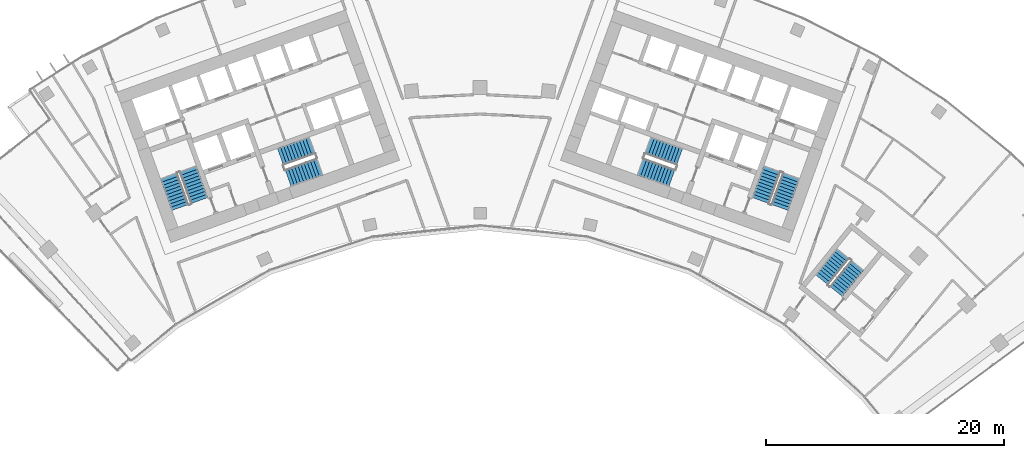
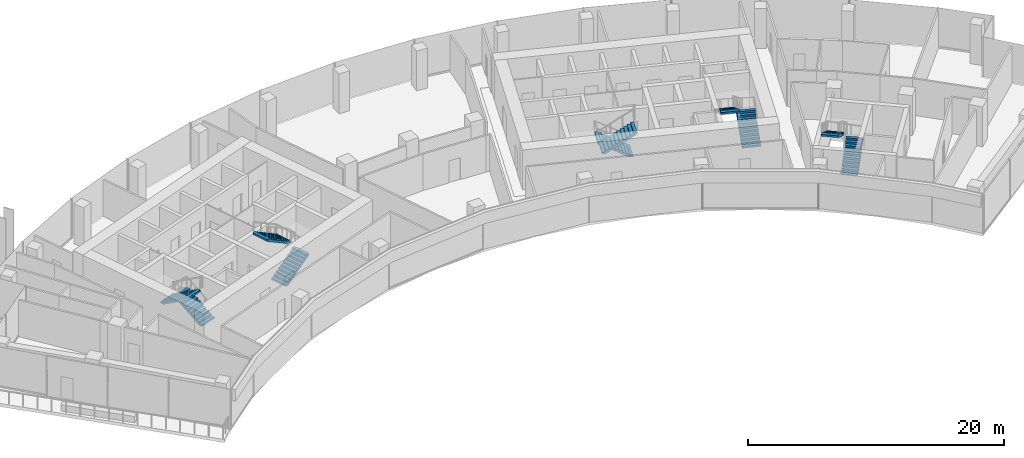
# One storey, part 17 of 19: 10 stair flights, 5 elements without a shape of their own.
"""IFC4 building model written with IfcOpenShell, lengths in metres."""

from ifc_helpers import new_model, si_unit, direction, frame, origin, place, context, subcontext, project, spatial, polyline, outline, extrude, material, type_object, element, aggregate, save


model = new_model("IFC4")

# Units and contexts
model_context = context("Model", 3, precision=1e-05, world=origin(), true_north=direction((0.0, 1.0)))
body_context = subcontext(model_context, "Body", "Model", "MODEL_VIEW")
ifc_project = project(units=[si_unit("LENGTHUNIT", "METRE"), si_unit("AREAUNIT", "SQUARE_METRE"), si_unit("VOLUMEUNIT", "CUBIC_METRE"), si_unit("PLANEANGLEUNIT", "RADIAN"), si_unit("MASSUNIT", "GRAM", prefix="KILO")], contexts=[model_context])

# Site, building, storey
site_placement = place(None, origin())
site = spatial("IfcSite", under=ifc_project, at=site_placement, CompositionType="ELEMENT")
building_placement = place(site_placement, origin())
building = spatial("IfcBuilding", under=site, at=building_placement, Name="Stone Belt Terrace Tower", CompositionType="ELEMENT")
storey_placement = place(building_placement, frame((0.0, 0.0, 227.60009765625)))
storey = spatial("IfcBuildingStorey", under=building, at=storey_placement, Name="L55", CompositionType="ELEMENT", Elevation=227.60009765625)

# Stair, stair flights
ifc_material = material(Name="Concrete B40", Category="concrete")
stair_type = type_object("IfcStairType", Name="Exit stair 1500", PredefinedType="HALF_TURN_STAIR", material=ifc_material)
stair_1_placement = place(storey_placement, origin())
stair_1 = element("IfcStair", 1, at=stair_1_placement, inside=storey, type_object=stair_type, Name="L55 Exit stair 1 core A", PredefinedType="HALF_TURN_STAIR")
stair_flight_type = type_object("IfcStairFlightType", Name="Stair flight 1500", PredefinedType="STRAIGHT", material=ifc_material)
stair_flight_1_placement = place(storey_placement, frame((-23.55322265625, 45.51318359375, 0.0), z_axis=(0.0, 0.0, 1.0), x_axis=(-0.338624396177, 0.940921632398, 0.0)))
stair_flight_1 = element("IfcStairFlight", 2, at=stair_flight_1_placement, type_object=stair_flight_type, Name="ST1A flight 1", NumberOfRisers=11, NumberOfTreads=10, PredefinedType="STRAIGHT", RiserHeight=0.172727273, TreadLength=0.28, context=body_context, shape_type="SweptSolid", body=[
    extrude(outline(polyline([(0.0, 0.0), (0.0, 0.172607421875), (0.280029296875, 0.172607421875), (0.280029296875, 0.345458984375), (0.56005859375, 0.345458984375), (0.56005859375, 0.51806640625), (0.840087890625, 0.51806640625), (0.840087890625, 0.69091796875), (1.1201171875, 0.69091796875), (1.1201171875, 0.863525390625), (1.39990234375, 0.863525390625), (1.39990234375, 1.036376953125), (1.679931640625, 1.036376953125), (1.679931640625, 1.208984375), (1.9599609375, 1.208984375), (1.9599609375, 1.3818359375), (2.239990234375, 1.3818359375), (2.239990234375, 1.554443359375), (2.52001953125, 1.554443359375), (2.52001953125, 1.727294921875), (2.800048828125, 1.727294921875), (2.800048828125, 1.89990234375), (2.800048828125, 1.551025390625), (0.285400390625, 0.0), (0.0, 0.0)])), frame((0.0, 0.75, 0.0), z_axis=(0.0, -1.0, 0.0), x_axis=(1.0, 0.0, 0.0)), (0.0, 0.0, 1.0), 1.5),
])
stair_flight_2_placement = place(storey_placement, frame((-26.10107421875, 47.572021484375, 1.89990234375), z_axis=(0.0, 0.0, 1.0), x_axis=(0.338624396177, -0.940921632398, 0.0)))
stair_flight_2 = element("IfcStairFlight", 3, at=stair_flight_2_placement, type_object=stair_flight_type, Name="ST1A flight 2", NumberOfRisers=11, NumberOfTreads=10, PredefinedType="STRAIGHT", RiserHeight=0.172727273, TreadLength=0.28, context=body_context, shape_type="SweptSolid", body=[
    extrude(outline(polyline([(0.0, 0.0), (0.0, 0.172607421875), (0.280029296875, 0.172607421875), (0.280029296875, 0.345458984375), (0.56005859375, 0.345458984375), (0.56005859375, 0.51806640625), (0.840087890625, 0.51806640625), (0.840087890625, 0.69091796875), (1.1201171875, 0.69091796875), (1.1201171875, 0.863525390625), (1.39990234375, 0.863525390625), (1.39990234375, 1.036376953125), (1.679931640625, 1.036376953125), (1.679931640625, 1.208984375), (1.9599609375, 1.208984375), (1.9599609375, 1.3818359375), (2.239990234375, 1.3818359375), (2.239990234375, 1.554443359375), (2.52001953125, 1.554443359375), (2.52001953125, 1.727294921875), (2.800048828125, 1.727294921875), (2.800048828125, 1.89990234375), (2.800048828125, 1.551025390625), (0.285400390625, 0.0), (0.0, 0.0)])), frame((0.0, 0.75, 0.0), z_axis=(0.0, -1.0, 0.0), x_axis=(1.0, 0.0, 0.0)), (0.0, 0.0, 1.0), 1.5),
])
aggregate(stair_1, [stair_flight_1, stair_flight_2])

stair_2_placement = place(storey_placement, origin())
stair_2 = element("IfcStair", 4, at=stair_2_placement, inside=storey, type_object=stair_type, Name="L55 Exit stair 2 core A", PredefinedType="HALF_TURN_STAIR")
stair_flight_3_placement = place(storey_placement, frame((-16.101318359375, 47.39794921875, 0.0), z_axis=(0.0, 0.0, 1.0), x_axis=(0.940921632398, 0.338624396177, 0.0)))
stair_flight_3 = element("IfcStairFlight", 5, at=stair_flight_3_placement, type_object=stair_flight_type, Name="ST2A flight 1", NumberOfRisers=11, NumberOfTreads=10, PredefinedType="STRAIGHT", RiserHeight=0.172727273, TreadLength=0.28, context=body_context, shape_type="SweptSolid", body=[
    extrude(outline(polyline([(0.0, 0.0), (0.0, 0.172607421875), (0.280029296875, 0.172607421875), (0.280029296875, 0.345458984375), (0.56005859375, 0.345458984375), (0.56005859375, 0.51806640625), (0.840087890625, 0.51806640625), (0.840087890625, 0.69091796875), (1.1201171875, 0.69091796875), (1.1201171875, 0.863525390625), (1.39990234375, 0.863525390625), (1.39990234375, 1.036376953125), (1.679931640625, 1.036376953125), (1.679931640625, 1.208984375), (1.9599609375, 1.208984375), (1.9599609375, 1.3818359375), (2.239990234375, 1.3818359375), (2.239990234375, 1.554443359375), (2.52001953125, 1.554443359375), (2.52001953125, 1.727294921875), (2.800048828125, 1.727294921875), (2.800048828125, 1.89990234375), (2.800048828125, 1.551025390625), (0.285400390625, 0.0), (0.0, 0.0)])), frame((0.0, 0.75, 0.0), z_axis=(0.0, -1.0, 0.0), x_axis=(1.0, 0.0, 0.0)), (0.0, 0.0, 1.0), 1.5),
])
stair_flight_4_placement = place(storey_placement, frame((-14.110107421875, 50.1337890625, 1.89990234375), z_axis=(0.0, 0.0, 1.0), x_axis=(-0.940921632398, -0.338624396177, 0.0)))
stair_flight_4 = element("IfcStairFlight", 6, at=stair_flight_4_placement, type_object=stair_flight_type, Name="ST2A flight 2", NumberOfRisers=11, NumberOfTreads=10, PredefinedType="STRAIGHT", RiserHeight=0.172727273, TreadLength=0.28, context=body_context, shape_type="SweptSolid", body=[
    extrude(outline(polyline([(0.0, 0.0), (0.0, 0.172607421875), (0.280029296875, 0.172607421875), (0.280029296875, 0.345458984375), (0.56005859375, 0.345458984375), (0.56005859375, 0.51806640625), (0.840087890625, 0.51806640625), (0.840087890625, 0.69091796875), (1.1201171875, 0.69091796875), (1.1201171875, 0.863525390625), (1.39990234375, 0.863525390625), (1.39990234375, 1.036376953125), (1.679931640625, 1.036376953125), (1.679931640625, 1.208984375), (1.9599609375, 1.208984375), (1.9599609375, 1.3818359375), (2.239990234375, 1.3818359375), (2.239990234375, 1.554443359375), (2.52001953125, 1.554443359375), (2.52001953125, 1.727294921875), (2.800048828125, 1.727294921875), (2.800048828125, 1.89990234375), (2.800048828125, 1.551025390625), (0.285400390625, 0.0), (0.0, 0.0)])), frame((0.0, 0.75, 0.0), z_axis=(0.0, -1.0, 0.0), x_axis=(1.0, 0.0, 0.0)), (0.0, 0.0, 1.0), 1.5),
])
aggregate(stair_2, [stair_flight_3, stair_flight_4])

stair_3_placement = place(storey_placement, origin())
stair_3 = element("IfcStair", 7, at=stair_3_placement, inside=storey, type_object=stair_type, Name="L55 Exit stair 1 core B", PredefinedType="HALF_TURN_STAIR")
stair_flight_5_placement = place(storey_placement, frame((25.15283203125, 44.9375, 0.0), z_axis=(0.0, 0.0, 1.0), x_axis=(0.338624396177, 0.940921632398, 0.0)))
stair_flight_5 = element("IfcStairFlight", 8, at=stair_flight_5_placement, type_object=stair_flight_type, Name="ST1B flight 1", NumberOfRisers=11, NumberOfTreads=10, PredefinedType="STRAIGHT", RiserHeight=0.172727273, TreadLength=0.28, context=body_context, shape_type="SweptSolid", body=[
    extrude(outline(polyline([(0.0, 0.0), (0.0, 0.172607421875), (0.280029296875, 0.172607421875), (0.280029296875, 0.345458984375), (0.56005859375, 0.345458984375), (0.56005859375, 0.51806640625), (0.840087890625, 0.51806640625), (0.840087890625, 0.69091796875), (1.1201171875, 0.69091796875), (1.1201171875, 0.863525390625), (1.39990234375, 0.863525390625), (1.39990234375, 1.036376953125), (1.679931640625, 1.036376953125), (1.679931640625, 1.208984375), (1.9599609375, 1.208984375), (1.9599609375, 1.3818359375), (2.239990234375, 1.3818359375), (2.239990234375, 1.554443359375), (2.52001953125, 1.554443359375), (2.52001953125, 1.727294921875), (2.800048828125, 1.727294921875), (2.800048828125, 1.89990234375), (2.800048828125, 1.551025390625), (0.285400390625, 0.0), (0.0, 0.0)])), frame((0.0, 0.75, 0.0), z_axis=(0.0, -1.0, 0.0), x_axis=(1.0, 0.0, 0.0)), (0.0, 0.0, 1.0), 1.5),
])
stair_flight_6_placement = place(storey_placement, frame((24.50146484375, 48.147705078125, 1.89990234375), z_axis=(0.0, 0.0, 1.0), x_axis=(-0.338624396177, -0.940921632398, 0.0)))
stair_flight_6 = element("IfcStairFlight", 9, at=stair_flight_6_placement, type_object=stair_flight_type, Name="ST1B flight 2", NumberOfRisers=11, NumberOfTreads=10, PredefinedType="STRAIGHT", RiserHeight=0.172727273, TreadLength=0.28, context=body_context, shape_type="SweptSolid", body=[
    extrude(outline(polyline([(0.0, 0.0), (0.0, 0.172607421875), (0.280029296875, 0.172607421875), (0.280029296875, 0.345458984375), (0.56005859375, 0.345458984375), (0.56005859375, 0.51806640625), (0.840087890625, 0.51806640625), (0.840087890625, 0.69091796875), (1.1201171875, 0.69091796875), (1.1201171875, 0.863525390625), (1.39990234375, 0.863525390625), (1.39990234375, 1.036376953125), (1.679931640625, 1.036376953125), (1.679931640625, 1.208984375), (1.9599609375, 1.208984375), (1.9599609375, 1.3818359375), (2.239990234375, 1.3818359375), (2.239990234375, 1.554443359375), (2.52001953125, 1.554443359375), (2.52001953125, 1.727294921875), (2.800048828125, 1.727294921875), (2.800048828125, 1.89990234375), (2.800048828125, 1.551025390625), (0.285400390625, 0.0), (0.0, 0.0)])), frame((0.0, 0.75, 0.0), z_axis=(0.0, -1.0, 0.0), x_axis=(1.0, 0.0, 0.0)), (0.0, 0.0, 1.0), 1.5),
])
aggregate(stair_3, [stair_flight_5, stair_flight_6])

stair_4_placement = place(storey_placement, origin())
stair_4 = element("IfcStair", 10, at=stair_4_placement, inside=storey, type_object=stair_type, Name="L55 Exit stair 2 core B", PredefinedType="HALF_TURN_STAIR")
stair_flight_7_placement = place(storey_placement, frame((16.74462890625, 49.185546875, 0.0), z_axis=(0.0, 0.0, 1.0), x_axis=(-0.940921632398, 0.338624396177, 0.0)))
stair_flight_7 = element("IfcStairFlight", 11, at=stair_flight_7_placement, type_object=stair_flight_type, Name="ST2B flight 1", NumberOfRisers=11, NumberOfTreads=10, PredefinedType="STRAIGHT", RiserHeight=0.172727273, TreadLength=0.28, context=body_context, shape_type="SweptSolid", body=[
    extrude(outline(polyline([(0.0, 0.0), (0.0, 0.172607421875), (0.280029296875, 0.172607421875), (0.280029296875, 0.345458984375), (0.56005859375, 0.345458984375), (0.56005859375, 0.51806640625), (0.840087890625, 0.51806640625), (0.840087890625, 0.69091796875), (1.1201171875, 0.69091796875), (1.1201171875, 0.863525390625), (1.39990234375, 0.863525390625), (1.39990234375, 1.036376953125), (1.679931640625, 1.036376953125), (1.679931640625, 1.208984375), (1.9599609375, 1.208984375), (1.9599609375, 1.3818359375), (2.239990234375, 1.3818359375), (2.239990234375, 1.554443359375), (2.52001953125, 1.554443359375), (2.52001953125, 1.727294921875), (2.800048828125, 1.727294921875), (2.800048828125, 1.89990234375), (2.800048828125, 1.551025390625), (0.285400390625, 0.0), (0.0, 0.0)])), frame((0.0, 0.75, 0.0), z_axis=(0.0, -1.0, 0.0), x_axis=(1.0, 0.0, 0.0)), (0.0, 0.0, 1.0), 1.5),
])
stair_flight_8_placement = place(storey_placement, frame((13.466796875, 48.345947265625, 1.89990234375), z_axis=(0.0, 0.0, 1.0), x_axis=(0.940921632398, -0.338624396177, 0.0)))
stair_flight_8 = element("IfcStairFlight", 12, at=stair_flight_8_placement, type_object=stair_flight_type, Name="ST2B flight 2", NumberOfRisers=11, NumberOfTreads=10, PredefinedType="STRAIGHT", RiserHeight=0.172727273, TreadLength=0.28, context=body_context, shape_type="SweptSolid", body=[
    extrude(outline(polyline([(0.0, 0.0), (0.0, 0.172607421875), (0.280029296875, 0.172607421875), (0.280029296875, 0.345458984375), (0.56005859375, 0.345458984375), (0.56005859375, 0.51806640625), (0.840087890625, 0.51806640625), (0.840087890625, 0.69091796875), (1.1201171875, 0.69091796875), (1.1201171875, 0.863525390625), (1.39990234375, 0.863525390625), (1.39990234375, 1.036376953125), (1.679931640625, 1.036376953125), (1.679931640625, 1.208984375), (1.9599609375, 1.208984375), (1.9599609375, 1.3818359375), (2.239990234375, 1.3818359375), (2.239990234375, 1.554443359375), (2.52001953125, 1.554443359375), (2.52001953125, 1.727294921875), (2.800048828125, 1.727294921875), (2.800048828125, 1.89990234375), (2.800048828125, 1.551025390625), (0.285400390625, 0.0), (0.0, 0.0)])), frame((0.0, 0.75, 0.0), z_axis=(0.0, -1.0, 0.0), x_axis=(1.0, 0.0, 0.0)), (0.0, 0.0, 1.0), 1.5),
])
aggregate(stair_4, [stair_flight_7, stair_flight_8])

stair_5_placement = place(storey_placement, origin())
stair_5 = element("IfcStair", 13, at=stair_5_placement, inside=storey, type_object=stair_type, Name="L55 Exit stair 3B", PredefinedType="HALF_TURN_STAIR")
stair_flight_9_placement = place(storey_placement, frame((29.88330078125, 37.887939453125, 0.0), z_axis=(0.0, 0.0, 1.0), x_axis=(0.630205749599, 0.776428176441, 0.0)))
stair_flight_9 = element("IfcStairFlight", 14, at=stair_flight_9_placement, type_object=stair_flight_type, Name="ST3B flight 1", NumberOfRisers=11, NumberOfTreads=10, PredefinedType="STRAIGHT", RiserHeight=0.172727273, TreadLength=0.28, context=body_context, shape_type="SweptSolid", body=[
    extrude(outline(polyline([(0.0, 0.0), (0.0, 0.172607421875), (0.280029296875, 0.172607421875), (0.280029296875, 0.345458984375), (0.56005859375, 0.345458984375), (0.56005859375, 0.51806640625), (0.840087890625, 0.51806640625), (0.840087890625, 0.69091796875), (1.1201171875, 0.69091796875), (1.1201171875, 0.863525390625), (1.39990234375, 0.863525390625), (1.39990234375, 1.036376953125), (1.679931640625, 1.036376953125), (1.679931640625, 1.208984375), (1.9599609375, 1.208984375), (1.9599609375, 1.3818359375), (2.239990234375, 1.3818359375), (2.239990234375, 1.554443359375), (2.52001953125, 1.554443359375), (2.52001953125, 1.727294921875), (2.800048828125, 1.727294921875), (2.800048828125, 1.89990234375), (2.800048828125, 1.551025390625), (0.285400390625, 0.0), (0.0, 0.0)])), frame((0.0, 0.675048828125, 0.0), z_axis=(0.0, -1.0, 0.0), x_axis=(1.0, 0.0, 0.0)), (0.0, 0.0, 1.0), 1.35009765625),
])
stair_flight_10_placement = place(storey_placement, frame((30.4443359375, 41.038818359375, 1.89990234375), z_axis=(0.0, 0.0, 1.0), x_axis=(-0.630205749599, -0.776428176441, 0.0)))
stair_flight_10 = element("IfcStairFlight", 15, at=stair_flight_10_placement, type_object=stair_flight_type, Name="ST3B flight 2", NumberOfRisers=11, NumberOfTreads=10, PredefinedType="STRAIGHT", RiserHeight=0.172727273, TreadLength=0.28, context=body_context, shape_type="SweptSolid", body=[
    extrude(outline(polyline([(0.0, 0.0), (0.0, 0.172607421875), (0.280029296875, 0.172607421875), (0.280029296875, 0.345458984375), (0.56005859375, 0.345458984375), (0.56005859375, 0.51806640625), (0.840087890625, 0.51806640625), (0.840087890625, 0.69091796875), (1.1201171875, 0.69091796875), (1.1201171875, 0.863525390625), (1.39990234375, 0.863525390625), (1.39990234375, 1.036376953125), (1.679931640625, 1.036376953125), (1.679931640625, 1.208984375), (1.9599609375, 1.208984375), (1.9599609375, 1.3818359375), (2.239990234375, 1.3818359375), (2.239990234375, 1.554443359375), (2.52001953125, 1.554443359375), (2.52001953125, 1.727294921875), (2.800048828125, 1.727294921875), (2.800048828125, 1.89990234375), (2.800048828125, 1.551025390625), (0.285400390625, 0.0), (0.0, 0.0)])), frame((0.0, 0.675048828125, 0.0), z_axis=(0.0, -1.0, 0.0), x_axis=(1.0, 0.0, 0.0)), (0.0, 0.0, 1.0), 1.35009765625),
])
aggregate(stair_5, [stair_flight_9, stair_flight_10])

save(model, "model.ifc")
